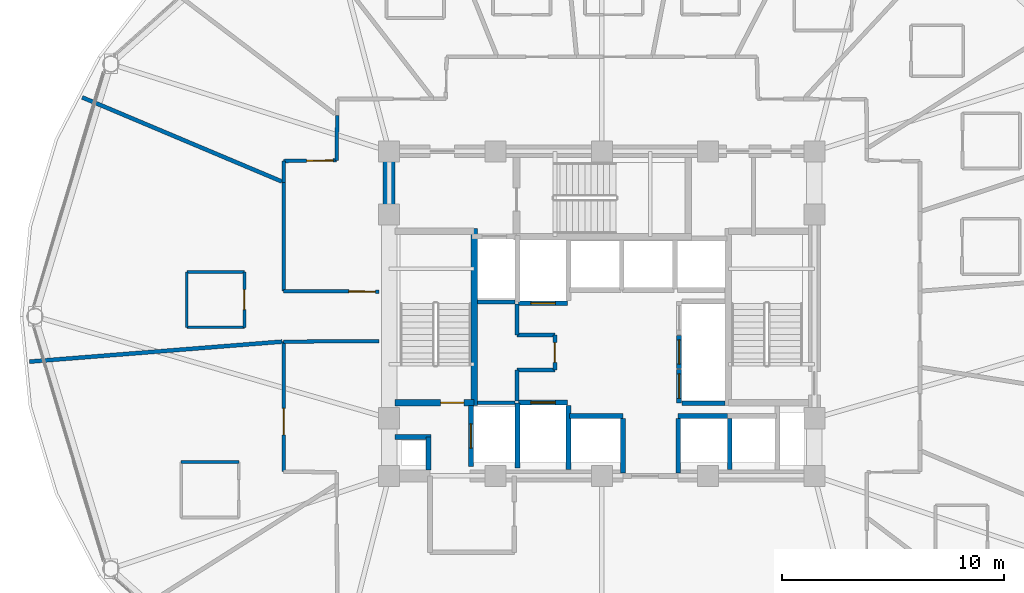
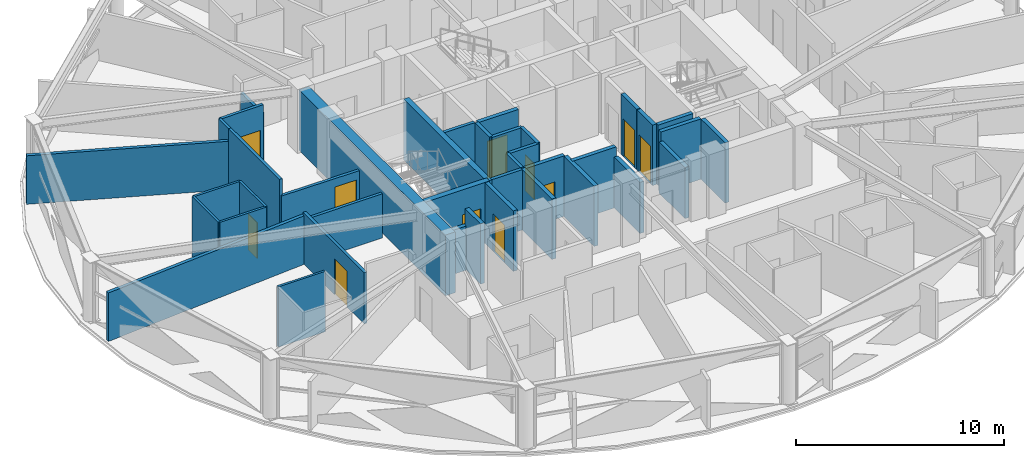
# One storey, part 25 of 32: 39 walls, 11 doors, 11 openings.
"""IFC4 building model written with IfcOpenShell, lengths in metres."""

from ifc_helpers import new_model, si_unit, direction, frame, frame_2d, origin, place, context, subcontext, project, spatial, rectangle, extrude, material, layer, layer_set, type_object, element, fill, save


model = new_model("IFC4")

# Units and contexts
model_context = context("Model", 3, precision=1e-05, world=origin(), true_north=direction((0.0, 1.0)))
body_context = subcontext(model_context, "Body", "Model", "MODEL_VIEW")
ifc_project = project(units=[si_unit("LENGTHUNIT", "METRE"), si_unit("AREAUNIT", "SQUARE_METRE"), si_unit("VOLUMEUNIT", "CUBIC_METRE"), si_unit("PLANEANGLEUNIT", "RADIAN"), si_unit("MASSUNIT", "GRAM", prefix="KILO")], contexts=[model_context])

# Site, building, storey
site_placement = place(None, origin())
site = spatial("IfcSite", under=ifc_project, at=site_placement, CompositionType="ELEMENT")
building_placement = place(site_placement, origin())
building = spatial("IfcBuilding", under=site, at=building_placement, Name="Vantalir Tower", CompositionType="ELEMENT")
storey_placement = place(building_placement, frame((0.0, 0.0, 108.449951171875)))
storey = spatial("IfcBuildingStorey", under=building, at=storey_placement, Name="L26", CompositionType="ELEMENT", Elevation=108.449951171875)

# Walls
ifc_material_1 = material(Name="Moisture-resistant en-suite partition", Category="gypsum")
ifc_layer_1 = layer(ifc_material_1, 0.125)
ifc_layer_set_1 = layer_set([ifc_layer_1], Name="Moisture-resistant en-suite partition")
wall_type_1 = type_object("IfcWallType", Name="WL-BATH-125", PredefinedType="PARTITIONING", material=ifc_layer_set_1)
for number, where, z_axis, x_axis, name in (
    (1, (12.76611328125, 24.507080078125, 0.0), (0.0, 0.0, 1.0), (1.0, 0.0, 0.0), "L26 En-suite 11 South Wall"),
    (2, (12.76611328125, 27.007080078125, 0.0), (0.0, 0.0, 1.0), (1.0, 0.0, 0.0), "L26 En-suite 11 North Wall"),
):
    element("IfcWall", number, at=place(storey_placement, frame(where, z_axis=z_axis, x_axis=x_axis)), inside=storey, type_object=wall_type_1, Name=name, PredefinedType="PARTITIONING", context=body_context, shape_type="SweptSolid", body=[
        extrude(rectangle(XDim=2.599853515625, YDim=0.125, at=frame_2d((1.2998046875, 0.0))), origin(), (0.0, 0.0, 1.0), 3.550048828125),
    ])
wall_1_placement = place(storey_placement, frame((12.76611328125, 24.507080078125, 0.0), z_axis=(0.0, 0.0, 1.0), x_axis=(0.0, 1.0, 0.0)))
element("IfcWall", 3, at=wall_1_placement, inside=storey, type_object=wall_type_1, Name="L26 En-suite 11 West Wall", PredefinedType="PARTITIONING", context=body_context, shape_type="SweptSolid", body=[
    extrude(rectangle(XDim=2.5, YDim=0.125, at=frame_2d((1.25, 0.0))), origin(), (0.0, 0.0, 1.0), 3.550048828125),
])

# Wall, opening, door
wall_2_placement = place(storey_placement, frame((15.365966796875, 24.507080078125, 0.0), z_axis=(0.0, 0.0, 1.0), x_axis=(0.0, 1.0, 0.0)))
wall_2 = element("IfcWall", 4, at=wall_2_placement, inside=storey, type_object=wall_type_1, Name="L26 En-suite 11 East Wall", PredefinedType="PARTITIONING", context=body_context, shape_type="SweptSolid", body=[
    extrude(rectangle(XDim=2.5, YDim=0.125, at=frame_2d((1.25, 0.0))), origin(), (0.0, 0.0, 1.0), 3.550048828125),
])
opening_1_placement = place(wall_2_placement, frame((0.800048828125, 0.0, 0.0)))
opening_1 = element("IfcOpeningElement", 5, at=opening_1_placement, cuts=wall_2, Name="Opening D-WC", PredefinedType="OPENING", context=body_context, shape_type="SweptSolid", body=[
    extrude(rectangle(XDim=0.89990234375, YDim=2.10009765625, at=frame_2d((0.449951171875, 1.050048828125))), frame((0.0, 0.072509765625, 0.0), z_axis=(0.0, -1.0, 0.0), x_axis=(1.0, 0.0, 0.0)), (0.0, 0.0, 1.0), 0.14501953125),
])
ifc_material_2 = material(Name="Moisture-resistant hardwood door", Category="wood")
door_type_1 = type_object("IfcDoorType", Name="DR-ENSUITE-900", OperationType="NOTDEFINED", PredefinedType="DOOR", material=ifc_material_2)
door_1_placement = place(opening_1_placement, origin())
door_1 = element("IfcDoor", 6, at=door_1_placement, inside=storey, type_object=door_type_1, Name="L26 En-suite 11 Door", OperationType="SINGLE_SWING_RIGHT", OverallHeight=2.10009765625, OverallWidth=0.89990234375, PredefinedType="DOOR", context=body_context, shape_type="SweptSolid", body=[
    extrude(rectangle(XDim=0.89990234375, YDim=2.10009765625, at=frame_2d((0.449951171875, 1.050048828125))), frame((0.0, 0.02490234375, 0.0), z_axis=(0.0, -1.0, 0.0), x_axis=(1.0, 0.0, 0.0)), (0.0, 0.0, 1.0), 0.050048828125),
])
fill(opening_1, door_1)

# Walls
wall_3_placement = place(storey_placement, frame((12.513916015625, 18.4208984375, 0.0), z_axis=(0.0, 0.0, 1.0), x_axis=(1.0, 0.0, 0.0)))
element("IfcWall", 7, at=wall_3_placement, inside=storey, type_object=wall_type_1, Name="L26 En-suite 12 North Wall", PredefinedType="PARTITIONING", context=body_context, shape_type="SweptSolid", body=[
    extrude(rectangle(XDim=2.60009765625, YDim=0.125, at=frame_2d((1.300048828125, 0.0))), origin(), (0.0, 0.0, 1.0), 3.550048828125),
])
ifc_material_3 = material(Name="Concrete C60/75", Category="concrete")
ifc_layer_2 = layer(ifc_material_3, 0.550048828125)
ifc_layer_set_2 = layer_set([ifc_layer_2], Name="Concrete C60/75")
wall_type_2 = type_object("IfcWallType", Name="WL-CORE-550", PredefinedType="SHEAR", material=ifc_layer_set_2)
wall_4_placement = place(storey_placement, frame((21.89990234375, 18.074951171875, 0.0), z_axis=(0.0, 0.0, 1.0), x_axis=(0.0, 1.0, 0.0)))
element("IfcWall", 8, at=wall_4_placement, inside=storey, type_object=wall_type_2, Name="L26 Core Shear Wall West", PredefinedType="SHEAR", context=body_context, shape_type="SweptSolid", body=[
    extrude(rectangle(XDim=14.10009765625, YDim=0.550048828125, at=frame_2d((7.050048828125, 0.0))), origin(), (0.0, 0.0, 1.0), 3.570068359375),
])

# Wall, opening, door
ifc_material_4 = material(Name="Fire-rated hotel corridor acoustic partition", Category="gypsum")
ifc_layer_3 = layer(ifc_material_4, 0.159912109375)
ifc_layer_set_3 = layer_set([ifc_layer_3], Name="Fire-rated hotel corridor acoustic partition")
wall_type_3 = type_object("IfcWallType", Name="WL-CORR-160", PredefinedType="PARTITIONING", material=ifc_layer_set_3)
wall_5_placement = place(storey_placement, frame((21.445068359375, 26.115966796875, 0.0), z_axis=(0.0, 0.0, 1.0), x_axis=(-0.999981624627, 0.006062211549, 0.0)))
wall_5 = element("IfcWall", 9, at=wall_5_placement, inside=storey, type_object=wall_type_3, Name="L26 Corridor Partition 01", PredefinedType="PARTITIONING", context=body_context, shape_type="SweptSolid", body=[
    extrude(rectangle(XDim=4.30908203125, YDim=0.159912109375, at=frame_2d((2.154541015625, 0.0))), origin(), (0.0, 0.0, 1.0), 2.594970703125),
])
opening_2_placement = place(wall_5_placement, frame((0.159912109375, 0.0, 0.0)))
opening_2 = element("IfcOpeningElement", 10, at=opening_2_placement, cuts=wall_5, Name="Opening D-STE", PredefinedType="OPENING", context=body_context, shape_type="SweptSolid", body=[
    extrude(rectangle(XDim=1.199951171875, YDim=2.10009765625, at=frame_2d((0.60009765625, 1.050048828125))), frame((0.0, 0.08984375, 0.0), z_axis=(0.0, -1.0, 0.0), x_axis=(1.0, 0.0, 0.0)), (0.0, 0.0, 1.0), 0.179931640625),
])
ifc_material_5 = material(Name="Solid-core teak veneer suite entrance door", Category="wood")
door_type_2 = type_object("IfcDoorType", Name="DR-SUITE-ENTRY-1200", OperationType="NOTDEFINED", PredefinedType="DOOR", material=ifc_material_5)
door_2_placement = place(opening_2_placement, origin())
door_2 = element("IfcDoor", 11, at=door_2_placement, inside=storey, type_object=door_type_2, Name="L26 Executive Club Hotel Suite 11 Door", OperationType="SINGLE_SWING_RIGHT", OverallHeight=2.10009765625, OverallWidth=1.199951171875, PredefinedType="DOOR", context=body_context, shape_type="SweptSolid", body=[
    extrude(rectangle(XDim=1.199951171875, YDim=2.10009765625, at=frame_2d((0.60009765625, 1.050048828125))), frame((0.0, 0.02490234375, 0.0), z_axis=(0.0, -1.0, 0.0), x_axis=(1.0, 0.0, 0.0)), (0.0, 0.0, 1.0), 0.050048828125),
])
fill(opening_2, door_2)

# Walls
wall_6_placement = place(storey_placement, frame((17.135986328125, 26.14208984375, 0.0), z_axis=(0.0, 0.0, 1.0), x_axis=(0.000198817035, 0.999999980236, 0.0)))
element("IfcWall", 12, at=wall_6_placement, inside=storey, type_object=wall_type_3, Name="L26 Corridor Partition 02", PredefinedType="PARTITIONING", context=body_context, shape_type="SweptSolid", body=[
    extrude(rectangle(XDim=4.911865234375, YDim=0.159912109375, at=frame_2d((2.4560546875, 0.0))), origin(), (0.0, 0.0, 1.0), 3.550048828125),
])
wall_7_placement = place(storey_placement, frame((17.136962890625, 31.053955078125, 0.0), z_axis=(0.0, 0.0, 1.0), x_axis=(0.0, 1.0, 0.0)))
element("IfcWall", 13, at=wall_7_placement, inside=storey, type_object=wall_type_3, Name="L26 Corridor Partition 03", PredefinedType="PARTITIONING", context=body_context, shape_type="SweptSolid", body=[
    extrude(rectangle(XDim=0.9580078125, YDim=0.159912109375, at=frame_2d((0.47900390625, 0.0))), origin(), (0.0, 0.0, 1.0), 3.550048828125),
])

# Wall, opening, door
wall_8_placement = place(storey_placement, frame((17.136962890625, 32.011962890625, 0.0), z_axis=(0.0, 0.0, 1.0), x_axis=(0.999931463618, 0.01170760724, 0.0)))
wall_8 = element("IfcWall", 14, at=wall_8_placement, inside=storey, type_object=wall_type_3, Name="L26 Corridor Partition 04", PredefinedType="PARTITIONING", context=body_context, shape_type="SweptSolid", body=[
    extrude(rectangle(XDim=2.398193359375, YDim=0.159912109375, at=frame_2d((1.19921875, 0.0))), origin(), (0.0, 0.0, 1.0), 3.550048828125),
])
opening_3_placement = place(wall_8_placement, frame((1.0380859375, 0.0, 0.0)))
opening_3 = element("IfcOpeningElement", 15, at=opening_3_placement, cuts=wall_8, Name="Opening D-STE", PredefinedType="OPENING", context=body_context, shape_type="SweptSolid", body=[
    extrude(rectangle(XDim=1.199951171875, YDim=2.10009765625, at=frame_2d((0.60009765625, 1.050048828125))), frame((0.0, 0.08984375, 0.0), z_axis=(0.0, -1.0, 0.0), x_axis=(1.0, 0.0, 0.0)), (0.0, 0.0, 1.0), 0.179931640625),
])
door_3_placement = place(opening_3_placement, origin())
door_3 = element("IfcDoor", 16, at=door_3_placement, inside=storey, type_object=door_type_2, Name="L26 Executive Sky Boardroom 10 Door", OperationType="SINGLE_SWING_LEFT", OverallHeight=2.10009765625, OverallWidth=1.199951171875, PredefinedType="DOOR", context=body_context, shape_type="SweptSolid", body=[
    extrude(rectangle(XDim=1.199951171875, YDim=2.10009765625, at=frame_2d((0.60009765625, 1.050048828125))), frame((0.0, 0.02490234375, 0.0), z_axis=(0.0, -1.0, 0.0), x_axis=(1.0, 0.0, 0.0)), (0.0, 0.0, 1.0), 0.050048828125),
])
fill(opening_3, door_3)

# Wall
wall_9_placement = place(storey_placement, frame((19.534912109375, 32.0400390625, 0.0), z_axis=(0.0, 0.0, 1.0), x_axis=(0.008934683203, 0.999960084921, 0.0)))
element("IfcWall", 17, at=wall_9_placement, inside=storey, type_object=wall_type_3, Name="L26 Corridor Partition 05", PredefinedType="PARTITIONING", context=body_context, shape_type="SweptSolid", body=[
    extrude(rectangle(XDim=2.02197265625, YDim=0.159912109375, at=frame_2d((1.010986328125, 0.0))), origin(), (0.0, 0.0, 1.0), 3.006103515625),
])

# Wall, opening, door
wall_10_placement = place(storey_placement, frame((17.135986328125, 17.991943359375, 0.0), z_axis=(0.0, 0.0, 1.0), x_axis=(0.0, 1.0, 0.0)))
wall_10 = element("IfcWall", 18, at=wall_10_placement, inside=storey, type_object=wall_type_3, Name="L26 Corridor Partition 38", PredefinedType="PARTITIONING", context=body_context, shape_type="SweptSolid", body=[
    extrude(rectangle(XDim=5.865966796875, YDim=0.159912109375, at=frame_2d((2.93310546875, 0.0))), origin(), (0.0, 0.0, 1.0), 3.006103515625),
])
opening_4_placement = place(wall_10_placement, frame((1.658935546875, 0.0, 0.0)))
opening_4 = element("IfcOpeningElement", 19, at=opening_4_placement, cuts=wall_10, Name="Opening D-STE", PredefinedType="OPENING", context=body_context, shape_type="SweptSolid", body=[
    extrude(rectangle(XDim=1.199951171875, YDim=2.10009765625, at=frame_2d((0.60009765625, 1.050048828125))), frame((0.0, 0.08984375, 0.0), z_axis=(0.0, -1.0, 0.0), x_axis=(1.0, 0.0, 0.0)), (0.0, 0.0, 1.0), 0.179931640625),
])
door_4_placement = place(opening_4_placement, origin())
door_4 = element("IfcDoor", 20, at=door_4_placement, inside=storey, type_object=door_type_2, Name="L26 Corner Panorama Hotel Suite 12 Door", OperationType="SINGLE_SWING_LEFT", OverallHeight=2.10009765625, OverallWidth=1.199951171875, PredefinedType="DOOR", context=body_context, shape_type="SweptSolid", body=[
    extrude(rectangle(XDim=1.199951171875, YDim=2.10009765625, at=frame_2d((0.60009765625, 1.050048828125))), frame((0.0, 0.02490234375, 0.0), z_axis=(0.0, -1.0, 0.0), x_axis=(1.0, 0.0, 0.0)), (0.0, 0.0, 1.0), 0.050048828125),
])
fill(opening_4, door_4)

# Walls
wall_11_placement = place(storey_placement, frame((17.135986328125, 23.85791015625, 0.0), z_axis=(0.0, 0.0, 1.0), x_axis=(0.999981624627, 0.006062211549, 0.0)))
element("IfcWall", 21, at=wall_11_placement, inside=storey, type_object=wall_type_3, Name="L26 Corridor Partition 39", PredefinedType="PARTITIONING", context=body_context, shape_type="SweptSolid", body=[
    extrude(rectangle(XDim=4.30908203125, YDim=0.159912109375, at=frame_2d((2.154541015625, 0.0))), origin(), (0.0, 0.0, 1.0), 2.594970703125),
])
ifc_material_6 = material(Name="Concrete blockwork with fireboard lining", Category="masonry")
ifc_layer_4 = layer(ifc_material_6, 0.219970703125)
ifc_layer_set_4 = layer_set([ifc_layer_4], Name="Concrete blockwork with fireboard lining")
wall_type_4 = type_object("IfcWallType", Name="WL-FFL-220", PredefinedType="PARTITIONING", material=ifc_layer_set_4)
wall_12_placement = place(storey_placement, frame((30.0, 18.080078125, 0.0), z_axis=(0.0, 0.0, 1.0), x_axis=(0.0, 1.0, 0.0)))
element("IfcWall", 22, at=wall_12_placement, inside=storey, type_object=wall_type_4, Name="L26 Service Lift SV1 East Shaft Wall", PredefinedType="PARTITIONING", context=body_context, shape_type="SweptSolid", body=[
    extrude(rectangle(XDim=2.89990234375, YDim=0.219970703125, at=frame_2d((1.449951171875, 0.0))), origin(), (0.0, 0.0, 1.0), 3.545166015625),
])
for number, where, z_axis, x_axis, name in (
    (23, (32.449951171875, 17.919921875, 0.0), (0.0, 0.0, 1.0), (0.0, 1.0, 0.0), "L26 Shuttle Lift PL-X1 East Shaft Cheek"),
    (24, (34.949951171875, 17.919921875, 0.0), (0.0, 0.0, 1.0), (0.0, 1.0, 0.0), "L26 Shuttle Lift PL-X3 West Shaft Cheek"),
):
    element("IfcWall", number, at=place(storey_placement, frame(where, z_axis=z_axis, x_axis=x_axis)), inside=storey, type_object=wall_type_4, Name=name, PredefinedType="PARTITIONING", context=body_context, shape_type="SweptSolid", body=[
        extrude(rectangle(XDim=2.469970703125, YDim=0.219970703125, at=frame_2d((1.23486328125, 0.0))), origin(), (0.0, 0.0, 1.0), 3.006103515625),
    ])
wall_13_placement = place(storey_placement, frame((37.27490234375, 18.080078125, 0.0), z_axis=(0.0, 0.0, 1.0), x_axis=(0.0, 1.0, 0.0)))
element("IfcWall", 25, at=wall_13_placement, inside=storey, type_object=wall_type_4, Name="L26 Shuttle Lift PL-X2/X3 Shaft Divider", PredefinedType="PARTITIONING", context=body_context, shape_type="SweptSolid", body=[
    extrude(rectangle(XDim=2.309814453125, YDim=0.219970703125, at=frame_2d((1.15478515625, 0.0))), origin(), (0.0, 0.0, 1.0), 3.545166015625),
])
wall_14_placement = place(storey_placement, frame((23.679931640625, 18.074951171875, 0.0), z_axis=(0.0, 0.0, 1.0), x_axis=(0.0, 1.0, 0.0)))
element("IfcWall", 26, at=wall_14_placement, inside=storey, type_object=wall_type_4, Name="L26 West MEP Riser Wall E", PredefinedType="PARTITIONING", context=body_context, shape_type="SweptSolid", body=[
    extrude(rectangle(XDim=1.47509765625, YDim=0.219970703125, at=frame_2d((0.737548828125, 0.0))), origin(), (0.0, 0.0, 1.0), 3.550048828125),
])
wall_15_placement = place(storey_placement, frame((22.175048828125, 19.550048828125, 0.0), z_axis=(0.0, 0.0, 1.0), x_axis=(1.0, 0.0, 0.0)))
element("IfcWall", 27, at=wall_15_placement, inside=storey, type_object=wall_type_4, Name="L26 West MEP Riser Wall N", PredefinedType="PARTITIONING", context=body_context, shape_type="SweptSolid", body=[
    extrude(rectangle(XDim=1.614990234375, YDim=0.219970703125, at=frame_2d((0.8076171875, 0.0))), origin(), (0.0, 0.0, 1.0), 2.594970703125),
])

# Wall, opening, door
wall_16_placement = place(storey_placement, frame((25.590087890625, 18.219970703125, 0.0), z_axis=(0.0, 0.0, 1.0), x_axis=(0.0, 1.0, 0.0)))
wall_16 = element("IfcWall", 28, at=wall_16_placement, inside=storey, type_object=wall_type_4, Name="L26 Lift FL1 Shaft Front Wall", PredefinedType="PARTITIONING", context=body_context, shape_type="SweptSolid", body=[
    extrude(rectangle(XDim=2.760009765625, YDim=0.219970703125, at=frame_2d((1.3798828125, 0.0))), origin(), (0.0, 0.0, 1.0), 3.550048828125),
])
opening_5_placement = place(wall_16_placement, frame((0.830078125, 0.0, 0.0)))
opening_5 = element("IfcOpeningElement", 29, at=opening_5_placement, cuts=wall_16, Name="Opening LD-FL1", PredefinedType="OPENING", context=body_context, shape_type="SweptSolid", body=[
    extrude(rectangle(XDim=1.10009765625, YDim=2.199951171875, at=frame_2d((0.550048828125, 1.10009765625))), frame((0.0, 0.119873046875, 0.0), z_axis=(0.0, -1.0, 0.0), x_axis=(1.0, 0.0, 0.0)), (0.0, 0.0, 1.0), 0.239990234375),
])
ifc_material_7 = material(Name="Brushed stainless-steel sliding lift landing door", Category="steel")
door_type_3 = type_object("IfcDoorType", Name="DR-LIFT-LANDING-1100", OperationType="DOUBLE_DOOR_SLIDING", PredefinedType="DOOR", material=ifc_material_7)
door_5_placement = place(opening_5_placement, origin())
door_5 = element("IfcDoor", 30, at=door_5_placement, inside=storey, type_object=door_type_3, Name="L26 Lift Landing Door FL1", OperationType="DOUBLE_DOOR_SLIDING", OverallHeight=2.199951171875, OverallWidth=1.10009765625, PredefinedType="DOOR", context=body_context, shape_type="SweptSolid", body=[
    extrude(rectangle(XDim=1.10009765625, YDim=2.199951171875, at=frame_2d((0.550048828125, 1.10009765625))), frame((0.0, 0.02490234375, 0.0), z_axis=(0.0, -1.0, 0.0), x_axis=(1.0, 0.0, 0.0)), (0.0, 0.0, 1.0), 0.050048828125),
])
fill(opening_5, door_5)

wall_17_placement = place(storey_placement, frame((27.739990234375, 21.110107421875, 0.0), z_axis=(0.0, 0.0, 1.0), x_axis=(1.0, 0.0, 0.0)))
wall_17 = element("IfcWall", 31, at=wall_17_placement, inside=storey, type_object=wall_type_4, Name="L26 Lift SV1 Shaft Front Wall", PredefinedType="PARTITIONING", context=body_context, shape_type="SweptSolid", body=[
    extrude(rectangle(XDim=2.219970703125, YDim=0.219970703125, at=frame_2d((1.10986328125, 0.0))), origin(), (0.0, 0.0, 1.0), 3.550048828125),
])
opening_6_placement = place(wall_17_placement, frame((0.56005859375, 0.0, 0.0)))
opening_6 = element("IfcOpeningElement", 32, at=opening_6_placement, cuts=wall_17, Name="Opening LD-SV1", PredefinedType="OPENING", context=body_context, shape_type="SweptSolid", body=[
    extrude(rectangle(XDim=1.10009765625, YDim=2.199951171875, at=frame_2d((0.550048828125, 1.10009765625))), frame((0.0, 0.119873046875, 0.0), z_axis=(0.0, -1.0, 0.0), x_axis=(1.0, 0.0, 0.0)), (0.0, 0.0, 1.0), 0.239990234375),
])
door_6_placement = place(opening_6_placement, origin())
door_6 = element("IfcDoor", 33, at=door_6_placement, inside=storey, type_object=door_type_3, Name="L26 Lift Landing Door SV1", OperationType="DOUBLE_DOOR_SLIDING", OverallHeight=2.199951171875, OverallWidth=1.10009765625, PredefinedType="DOOR", context=body_context, shape_type="SweptSolid", body=[
    extrude(rectangle(XDim=1.10009765625, YDim=2.199951171875, at=frame_2d((0.550048828125, 1.10009765625))), frame((0.0, 0.02490234375, 0.0), z_axis=(0.0, -1.0, 0.0), x_axis=(1.0, 0.0, 0.0)), (0.0, 0.0, 1.0), 0.050048828125),
])
fill(opening_6, door_6)

wall_18_placement = place(storey_placement, frame((27.739990234375, 25.590087890625, 0.0), z_axis=(0.0, 0.0, 1.0), x_axis=(1.0, 0.0, 0.0)))
wall_18 = element("IfcWall", 34, at=wall_18_placement, inside=storey, type_object=wall_type_4, Name="L26 Lift SV2 Shaft Front Wall", PredefinedType="PARTITIONING", context=body_context, shape_type="SweptSolid", body=[
    extrude(rectangle(XDim=2.219970703125, YDim=0.219970703125, at=frame_2d((1.10986328125, 0.0))), origin(), (0.0, 0.0, 1.0), 3.550048828125),
])
opening_7_placement = place(wall_18_placement, frame((0.56005859375, 0.0, 0.0)))
opening_7 = element("IfcOpeningElement", 35, at=opening_7_placement, cuts=wall_18, Name="Opening LD-SV2", PredefinedType="OPENING", context=body_context, shape_type="SweptSolid", body=[
    extrude(rectangle(XDim=1.10009765625, YDim=2.199951171875, at=frame_2d((0.550048828125, 1.10009765625))), frame((0.0, 0.119873046875, 0.0), z_axis=(0.0, -1.0, 0.0), x_axis=(1.0, 0.0, 0.0)), (0.0, 0.0, 1.0), 0.239990234375),
])
door_7_placement = place(opening_7_placement, frame((1.10009765625, 0.0, 0.0), z_axis=(0.0, 0.0, 1.0), x_axis=(-1.0, 0.0, 0.0)))
door_7 = element("IfcDoor", 36, at=door_7_placement, inside=storey, type_object=door_type_3, Name="L26 Lift Landing Door SV2", OperationType="DOUBLE_DOOR_SLIDING", OverallHeight=2.199951171875, OverallWidth=1.10009765625, PredefinedType="DOOR", context=body_context, shape_type="SweptSolid", body=[
    extrude(rectangle(XDim=1.10009765625, YDim=2.199951171875, at=frame_2d((0.550048828125, 1.10009765625))), frame((0.0, 0.02490234375, 0.0), z_axis=(0.0, -1.0, 0.0), x_axis=(1.0, 0.0, 0.0)), (0.0, 0.0, 1.0), 0.050048828125),
])
fill(opening_7, door_7)

# Walls
wall_19_placement = place(storey_placement, frame((30.0400390625, 20.510009765625, 0.0), z_axis=(0.0, 0.0, 1.0), x_axis=(1.0, 0.0, 0.0)))
element("IfcWall", 37, at=wall_19_placement, inside=storey, type_object=wall_type_4, Name="L26 Lift PL-X1 Shaft Front Wall", PredefinedType="PARTITIONING", context=body_context, shape_type="SweptSolid", body=[
    extrude(rectangle(XDim=2.419921875, YDim=0.219970703125, at=frame_2d((1.2099609375, 0.0))), origin(), (0.0, 0.0, 1.0), 3.550048828125),
])
wall_20_placement = place(storey_placement, frame((34.93994140625, 20.510009765625, 0.0), z_axis=(0.0, 0.0, 1.0), x_axis=(1.0, 0.0, 0.0)))
element("IfcWall", 38, at=wall_20_placement, inside=storey, type_object=wall_type_4, Name="L26 Lift PL-X3 Shaft Front Wall", PredefinedType="PARTITIONING", context=body_context, shape_type="SweptSolid", body=[
    extrude(rectangle(XDim=2.239990234375, YDim=0.219970703125, at=frame_2d((1.1201171875, 0.0))), origin(), (0.0, 0.0, 1.0), 3.550048828125),
])

# Wall, opening, door
wall_21_placement = place(storey_placement, frame((34.989990234375, 21.10009765625, 0.0), z_axis=(0.0, 0.0, 1.0), x_axis=(0.0, 1.0, 0.0)))
wall_21 = element("IfcWall", 39, at=wall_21_placement, inside=storey, type_object=wall_type_4, Name="L26 Lift PL-M1 Shaft Front Wall", PredefinedType="PARTITIONING", context=body_context, shape_type="SweptSolid", body=[
    extrude(rectangle(XDim=1.5, YDim=0.219970703125, at=frame_2d((0.75, 0.0))), origin(), (0.0, 0.0, 1.0), 3.550048828125),
])
opening_8_placement = place(wall_21_placement, frame((0.199951171875, 0.0, 0.0)))
opening_8 = element("IfcOpeningElement", 40, at=opening_8_placement, cuts=wall_21, Name="Opening LD-PL-M1", PredefinedType="OPENING", context=body_context, shape_type="SweptSolid", body=[
    extrude(rectangle(XDim=1.10009765625, YDim=2.199951171875, at=frame_2d((0.550048828125, 1.10009765625))), frame((0.0, 0.119873046875, 0.0), z_axis=(0.0, -1.0, 0.0), x_axis=(1.0, 0.0, 0.0)), (0.0, 0.0, 1.0), 0.239990234375),
])
door_8_placement = place(opening_8_placement, origin())
door_8 = element("IfcDoor", 41, at=door_8_placement, inside=storey, type_object=door_type_3, Name="L26 Lift Landing Door PL-M1", OperationType="DOUBLE_DOOR_SLIDING", OverallHeight=2.199951171875, OverallWidth=1.10009765625, PredefinedType="DOOR", context=body_context, shape_type="SweptSolid", body=[
    extrude(rectangle(XDim=1.10009765625, YDim=2.199951171875, at=frame_2d((0.550048828125, 1.10009765625))), frame((0.0, 0.02490234375, 0.0), z_axis=(0.0, -1.0, 0.0), x_axis=(1.0, 0.0, 0.0)), (0.0, 0.0, 1.0), 0.050048828125),
])
fill(opening_8, door_8)

wall_22_placement = place(storey_placement, frame((34.989990234375, 22.639892578125, 0.0), z_axis=(0.0, 0.0, 1.0), x_axis=(0.0, 1.0, 0.0)))
wall_22 = element("IfcWall", 42, at=wall_22_placement, inside=storey, type_object=wall_type_4, Name="L26 Lift PL-M2 Shaft Front Wall", PredefinedType="PARTITIONING", context=body_context, shape_type="SweptSolid", body=[
    extrude(rectangle(XDim=1.5, YDim=0.219970703125, at=frame_2d((0.75, 0.0))), origin(), (0.0, 0.0, 1.0), 3.550048828125),
])
opening_9_placement = place(wall_22_placement, frame((0.199951171875, 0.0, 0.0)))
opening_9 = element("IfcOpeningElement", 43, at=opening_9_placement, cuts=wall_22, Name="Opening LD-PL-M2", PredefinedType="OPENING", context=body_context, shape_type="SweptSolid", body=[
    extrude(rectangle(XDim=1.10009765625, YDim=2.199951171875, at=frame_2d((0.550048828125, 1.10009765625))), frame((0.0, 0.119873046875, 0.0), z_axis=(0.0, -1.0, 0.0), x_axis=(1.0, 0.0, 0.0)), (0.0, 0.0, 1.0), 0.239990234375),
])
door_9_placement = place(opening_9_placement, origin())
door_9 = element("IfcDoor", 44, at=door_9_placement, inside=storey, type_object=door_type_3, Name="L26 Lift Landing Door PL-M2", OperationType="DOUBLE_DOOR_SLIDING", OverallHeight=2.199951171875, OverallWidth=1.10009765625, PredefinedType="DOOR", context=body_context, shape_type="SweptSolid", body=[
    extrude(rectangle(XDim=1.10009765625, YDim=2.199951171875, at=frame_2d((0.550048828125, 1.10009765625))), frame((0.0, 0.02490234375, 0.0), z_axis=(0.0, -1.0, 0.0), x_axis=(1.0, 0.0, 0.0)), (0.0, 0.0, 1.0), 0.050048828125),
])
fill(opening_9, door_9)

# Walls
wall_23_placement = place(storey_placement, frame((27.699951171875, 18.14990234375, 0.0), z_axis=(0.0, 0.0, 1.0), x_axis=(0.0, 1.0, 0.0)))
element("IfcWall", 45, at=wall_23_placement, inside=storey, type_object=wall_type_4, Name="L26 Fire Lift FL1 Dividing Wall", PredefinedType="PARTITIONING", context=body_context, shape_type="SweptSolid", body=[
    extrude(rectangle(XDim=2.9501953125, YDim=0.219970703125, at=frame_2d((1.47509765625, 0.0))), origin(), (0.0, 0.0, 1.0), 3.550048828125),
])
wall_24_placement = place(storey_placement, frame((35.1201171875, 21.080078125, 0.0), z_axis=(0.0, 0.0, 1.0), x_axis=(1.0, 0.0, 0.0)))
element("IfcWall", 46, at=wall_24_placement, inside=storey, type_object=wall_type_4, Name="L26 Mid-Rise Bank South Wall", PredefinedType="PARTITIONING", context=body_context, shape_type="SweptSolid", body=[
    extrude(rectangle(XDim=1.93994140625, YDim=0.219970703125, at=frame_2d((0.969970703125, 0.0))), origin(), (0.0, 0.0, 1.0), 3.550048828125),
])
ifc_material_8 = material(Name="Twin-stud acoustic fire-rated gypsum partition", Category="gypsum")
ifc_layer_5 = layer(ifc_material_8, 0.179931640625)
ifc_layer_set_5 = layer_set([ifc_layer_5], Name="Twin-stud acoustic fire-rated gypsum partition")
wall_type_5 = type_object("IfcWallType", Name="WL-GUEST-180", PredefinedType="PARTITIONING", material=ifc_layer_set_5)
for number, where, z_axis, x_axis, name in (
    (47, (25.889892578125, 21.10009765625, 0.0), (0.0, 0.0, 1.0), (1.0, 0.0, 0.0), "L26 Freed West Core South Wall"),
    (48, (25.889892578125, 25.64990234375, 0.0), (0.0, 0.0, 1.0), (1.0, 0.0, 0.0), "L26 Freed West Core North Wall"),
):
    element("IfcWall", number, at=place(storey_placement, frame(where, z_axis=z_axis, x_axis=x_axis)), inside=storey, type_object=wall_type_5, Name=name, PredefinedType="PARTITIONING", context=body_context, shape_type="SweptSolid", body=[
        extrude(rectangle(XDim=1.7001953125, YDim=0.179931640625, at=frame_2d((0.85009765625, 0.0))), origin(), (0.0, 0.0, 1.0), 3.550048828125),
    ])
wall_25_placement = place(storey_placement, frame((27.679931640625, 21.18994140625, 0.0), z_axis=(0.0, 0.0, 1.0), x_axis=(0.0, 1.0, 0.0)))
element("IfcWall", 49, at=wall_25_placement, inside=storey, type_object=wall_type_5, Name="L26 West IT Room Lower East Wall", PredefinedType="PARTITIONING", context=body_context, shape_type="SweptSolid", body=[
    extrude(rectangle(XDim=1.39013671875, YDim=0.179931640625, at=frame_2d((0.695068359375, 0.0))), origin(), (0.0, 0.0, 1.0), 3.550048828125),
])
wall_26_placement = place(storey_placement, frame((27.679931640625, 22.580078125, 0.0), z_axis=(0.0, 0.0, 1.0), x_axis=(1.0, 0.0, 0.0)))
element("IfcWall", 50, at=wall_26_placement, inside=storey, type_object=wall_type_5, Name="L26 West IT Room Alcove South Wall", PredefinedType="PARTITIONING", context=body_context, shape_type="SweptSolid", body=[
    extrude(rectangle(XDim=1.699951171875, YDim=0.179931640625, at=frame_2d((0.85009765625, 0.0))), origin(), (0.0, 0.0, 1.0), 3.550048828125),
])

# Wall, opening, door
wall_27_placement = place(storey_placement, frame((29.3798828125, 22.580078125, 0.0), z_axis=(0.0, 0.0, 1.0), x_axis=(0.0, 1.0, 0.0)))
wall_27 = element("IfcWall", 51, at=wall_27_placement, inside=storey, type_object=wall_type_5, Name="L26 West IT Room Alcove East Wall", PredefinedType="PARTITIONING", context=body_context, shape_type="SweptSolid", body=[
    extrude(rectangle(XDim=1.579833984375, YDim=0.179931640625, at=frame_2d((0.7900390625, 0.0))), origin(), (0.0, 0.0, 1.0), 3.550048828125),
])
opening_10_placement = place(wall_27_placement, frame((0.340087890625, 0.0, 0.0)))
opening_10 = element("IfcOpeningElement", 52, at=opening_10_placement, cuts=wall_27, Name="Opening D-CR", PredefinedType="OPENING", context=body_context, shape_type="SweptSolid", body=[
    extrude(rectangle(XDim=0.89990234375, YDim=2.10009765625, at=frame_2d((0.449951171875, 1.050048828125))), frame((0.0, 0.099853515625, 0.0), z_axis=(0.0, -1.0, 0.0), x_axis=(1.0, 0.0, 0.0)), (0.0, 0.0, 1.0), 0.199951171875),
])
ifc_material_9 = material(Name="Fire-rated steel core service door", Category="steel")
door_type_4 = type_object("IfcDoorType", Name="DR-CORE-SERV-900", OperationType="NOTDEFINED", PredefinedType="DOOR", material=ifc_material_9)
door_10_placement = place(opening_10_placement, origin())
door_10 = element("IfcDoor", 53, at=door_10_placement, inside=storey, type_object=door_type_4, Name="L26 Core IT Comms Door", OperationType="SINGLE_SWING_RIGHT", OverallHeight=2.10009765625, OverallWidth=0.89990234375, PredefinedType="DOOR", context=body_context, shape_type="SweptSolid", body=[
    extrude(rectangle(XDim=0.89990234375, YDim=2.10009765625, at=frame_2d((0.449951171875, 1.050048828125))), frame((0.0, 0.02490234375, 0.0), z_axis=(0.0, -1.0, 0.0), x_axis=(1.0, 0.0, 0.0)), (0.0, 0.0, 1.0), 0.050048828125),
])
fill(opening_10, door_10)

# Walls
wall_28_placement = place(storey_placement, frame((27.679931640625, 24.159912109375, 0.0), z_axis=(0.0, 0.0, 1.0), x_axis=(1.0, 0.0, 0.0)))
element("IfcWall", 54, at=wall_28_placement, inside=storey, type_object=wall_type_5, Name="L26 West IT Room Alcove North Wall", PredefinedType="PARTITIONING", context=body_context, shape_type="SweptSolid", body=[
    extrude(rectangle(XDim=1.699951171875, YDim=0.179931640625, at=frame_2d((0.85009765625, 0.0))), origin(), (0.0, 0.0, 1.0), 3.550048828125),
])
wall_29_placement = place(storey_placement, frame((27.679931640625, 24.159912109375, 0.0), z_axis=(0.0, 0.0, 1.0), x_axis=(0.0, 1.0, 0.0)))
element("IfcWall", 55, at=wall_29_placement, inside=storey, type_object=wall_type_5, Name="L26 West IT Room Upper East Wall", PredefinedType="PARTITIONING", context=body_context, shape_type="SweptSolid", body=[
    extrude(rectangle(XDim=1.400146484375, YDim=0.179931640625, at=frame_2d((0.7001953125, 0.0))), origin(), (0.0, 0.0, 1.0), 3.550048828125),
])
wall_30_placement = place(storey_placement, frame((17.06005859375, 31.0859375, 0.0), z_axis=(0.0, 0.0, 1.0), x_axis=(-0.921481698678, 0.388421779773, 0.0)))
element("IfcWall", 56, at=wall_30_placement, inside=storey, type_object=wall_type_5, Name="L26 Radial Suite Partition 11", PredefinedType="PARTITIONING", context=body_context, shape_type="SweptSolid", body=[
    extrude(rectangle(XDim=9.783203125, YDim=0.179931640625, at=frame_2d((4.8916015625, 0.0))), origin(), (0.0, 0.0, 1.0), 2.85107421875),
])
wall_31_placement = place(storey_placement, frame((17.06005859375, 23.85791015625, 0.0), z_axis=(0.0, 0.0, 1.0), x_axis=(-0.996883758337, -0.078884550861, 0.0)))
element("IfcWall", 57, at=wall_31_placement, inside=storey, type_object=wall_type_5, Name="L26 Radial Suite Partition 12", PredefinedType="PARTITIONING", context=body_context, shape_type="SweptSolid", body=[
    extrude(rectangle(XDim=11.4326171875, YDim=0.179931640625, at=frame_2d((5.71630859375, 0.0))), origin(), (0.0, 0.0, 1.0), 2.85107421875),
])

# Wall, opening, door
ifc_material_10 = material(Name="Concrete C50/60", Category="concrete")
ifc_layer_6 = layer(ifc_material_10, 0.300048828125)
ifc_layer_set_6 = layer_set([ifc_layer_6], Name="Concrete C50/60")
wall_type_6 = type_object("IfcWallType", Name="WL-STAIR-300", PredefinedType="SHEAR", material=ifc_layer_set_6)
wall_32_placement = place(storey_placement, frame((22.175048828125, 21.10009765625, 0.0), z_axis=(0.0, 0.0, 1.0), x_axis=(1.0, 0.0, 0.0)))
wall_32 = element("IfcWall", 58, at=wall_32_placement, inside=storey, type_object=wall_type_6, Name="L26 Stair ST1 South Wall", PredefinedType="SHEAR", context=body_context, shape_type="SweptSolid", body=[
    extrude(rectangle(XDim=3.56494140625, YDim=0.300048828125, at=frame_2d((1.782470703125, 0.0))), origin(), (0.0, 0.0, 1.0), 3.570068359375),
])
opening_11_placement = place(wall_32_placement, frame((2.044921875, 0.0, 0.0)))
opening_11 = element("IfcOpeningElement", 59, at=opening_11_placement, cuts=wall_32, Name="Opening D-ST", PredefinedType="OPENING", context=body_context, shape_type="SweptSolid", body=[
    extrude(rectangle(XDim=1.050048828125, YDim=2.10009765625, at=frame_2d((0.52490234375, 1.050048828125))), frame((0.0, 0.159912109375, 0.0), z_axis=(0.0, -1.0, 0.0), x_axis=(1.0, 0.0, 0.0)), (0.0, 0.0, 1.0), 0.320068359375),
])
ifc_material_11 = material(Name="Fire-rated steel door leaf", Category="steel")
door_type_5 = type_object("IfcDoorType", Name="DR-FIRE-STAIR-1050", OperationType="NOTDEFINED", PredefinedType="DOOR", material=ifc_material_11)
door_11_placement = place(opening_11_placement, origin())
door_11 = element("IfcDoor", 60, at=door_11_placement, inside=storey, type_object=door_type_5, Name="L26 Exit Stair ST1 Fire Door", OperationType="SINGLE_SWING_LEFT", OverallHeight=2.10009765625, OverallWidth=1.050048828125, PredefinedType="DOOR", context=body_context, shape_type="SweptSolid", body=[
    extrude(rectangle(XDim=1.050048828125, YDim=2.10009765625, at=frame_2d((0.52490234375, 1.050048828125))), frame((0.0, 0.02490234375, 0.0), z_axis=(0.0, -1.0, 0.0), x_axis=(1.0, 0.0, 0.0)), (0.0, 0.0, 1.0), 0.050048828125),
])
fill(opening_11, door_11)

# Wall
wall_33_placement = place(storey_placement, frame((25.739990234375, 20.97998046875, 0.0), z_axis=(0.0, 0.0, 1.0), x_axis=(0.0, 1.0, 0.0)))
element("IfcWall", 61, at=wall_33_placement, inside=storey, type_object=wall_type_6, Name="L26 Stair ST1 East Wall", PredefinedType="SHEAR", context=body_context, shape_type="SweptSolid", body=[
    extrude(rectangle(XDim=7.989990234375, YDim=0.300048828125, at=frame_2d((3.9951171875, 0.0))), origin(), (0.0, 0.0, 1.0), 3.570068359375),
])

save(model, "model.ifc")
